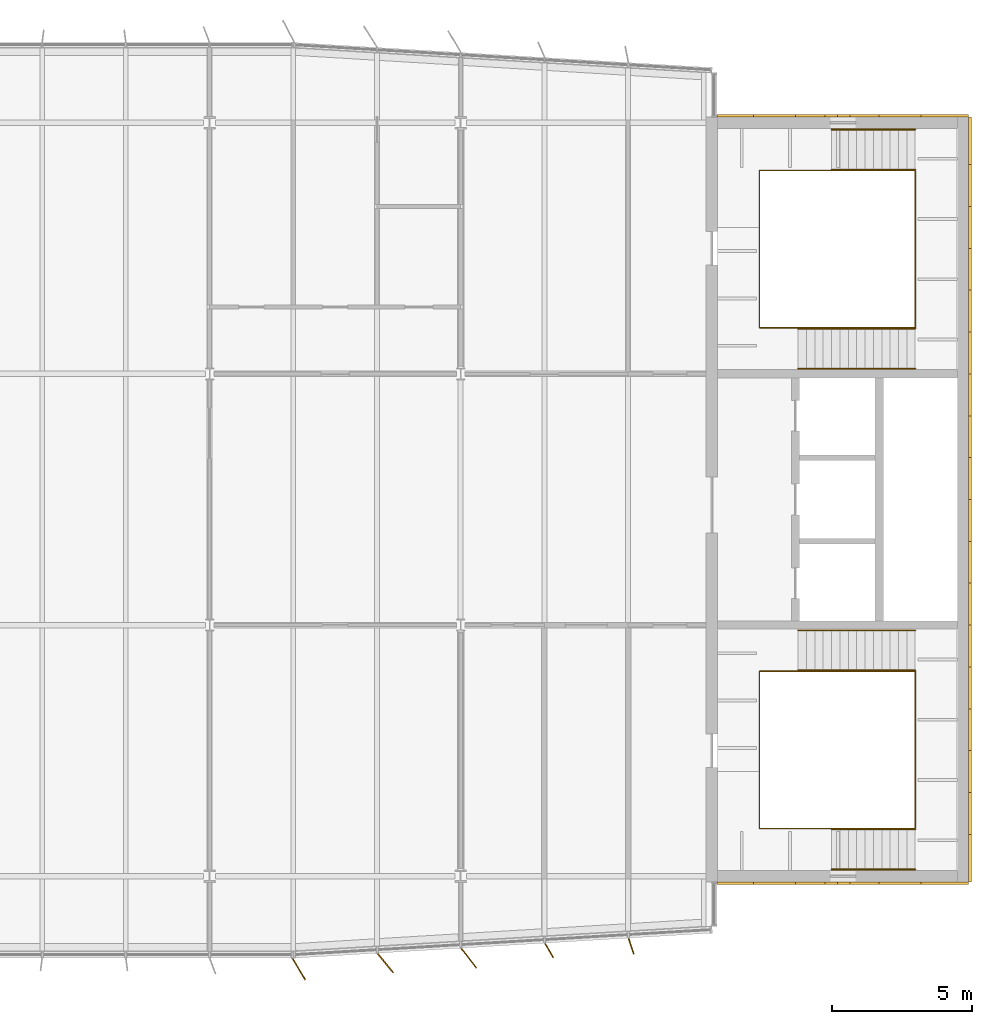
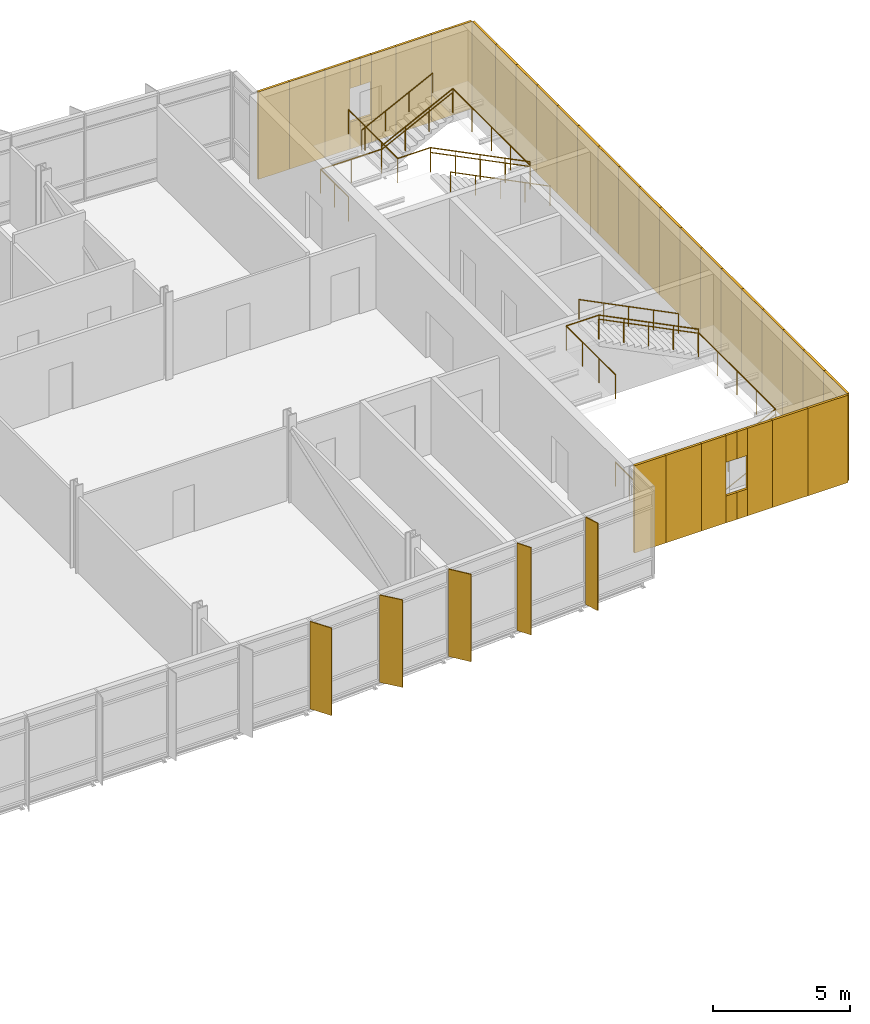
# One storey, part 17 of 18: 38 coverings, 10 railings, 5 shading devices.
"""IFC4 building model written with IfcOpenShell, lengths in metres."""

from ifc_helpers import new_model, si_unit, direction, frame, origin, origin_2d, place, context, subcontext, project, spatial, rectangle, circle, extrude, material, layer, layer_set, type_object, element, save


model = new_model("IFC4")

# Units and contexts
model_context = context("Model", 3, precision=1e-05, world=origin(), true_north=direction((0.0, 1.0)))
body_context = subcontext(model_context, "Body", "Model", "MODEL_VIEW")
ifc_project = project(units=[si_unit("LENGTHUNIT", "METRE"), si_unit("AREAUNIT", "SQUARE_METRE"), si_unit("VOLUMEUNIT", "CUBIC_METRE"), si_unit("PLANEANGLEUNIT", "RADIAN"), si_unit("MASSUNIT", "GRAM", prefix="KILO")], contexts=[model_context])

# Site, building, storey
site_placement = place(None, origin())
site = spatial("IfcSite", under=ifc_project, at=site_placement, CompositionType="ELEMENT")
building_placement = place(site_placement, origin())
building = spatial("IfcBuilding", under=site, at=building_placement, Name="Azimuth Sports and Learning Centre", CompositionType="ELEMENT")
storey_placement = place(building_placement, frame((0.0, 0.0, 59.699951171875)))
storey = spatial("IfcBuildingStorey", under=building, at=storey_placement, Name="L13", CompositionType="ELEMENT", Elevation=59.699951171875)

# Coverings
ifc_material_1 = material(Name="Cladding panel")
ifc_layer_1 = layer(ifc_material_1, 0.10009765625)
ifc_layer_set_1 = layer_set([ifc_layer_1], Name="Cladding panel")
covering_type = type_object("IfcCoveringType", Name="Cladding panel 100", PredefinedType="CLADDING", material=ifc_layer_set_1)
covering_1_placement = place(storey_placement, frame((108.840087890625, 89.75, 0.0), z_axis=(0.0, 0.0, 1.0), x_axis=(1.0, 0.0, 0.0)))
element("IfcCovering", 1, at=covering_1_placement, inside=storey, type_object=covering_type, Name="Cladding panel S-CORE E L13 1", PredefinedType="CLADDING", context=body_context, shape_type="SweptSolid", body=[
    extrude(rectangle(XDim=1.320068359375, YDim=0.10009765625, at=origin_2d()), origin(), (0.0, 0.0, 1.0), 3.89990234375),
])
covering_2_placement = place(storey_placement, frame((110.25, 89.75, 0.0), z_axis=(0.0, 0.0, 1.0), x_axis=(1.0, 0.0, 0.0)))
element("IfcCovering", 2, at=covering_2_placement, inside=storey, type_object=covering_type, Name="Cladding panel S-CORE E L13 2", PredefinedType="CLADDING", context=body_context, shape_type="SweptSolid", body=[
    extrude(rectangle(XDim=1.5, YDim=0.10009765625, at=origin_2d()), origin(), (0.0, 0.0, 1.0), 3.89990234375),
])
covering_3_placement = place(storey_placement, frame((111.52490234375, 89.75, 0.0), z_axis=(0.0, 0.0, 1.0), x_axis=(1.0, 0.0, 0.0)))
element("IfcCovering", 3, at=covering_3_placement, inside=storey, type_object=covering_type, Name="Cladding panel S-CORE E L13 3", PredefinedType="CLADDING", context=body_context, shape_type="SweptSolid", body=[
    extrude(rectangle(XDim=1.050048828125, YDim=0.10009765625, at=origin_2d()), origin(), (0.0, 0.0, 1.0), 3.89990234375),
])
for number, where, z_axis, x_axis, name in (
    (4, (112.27490234375, 89.75, 0.0), (0.0, 0.0, 1.0), (1.0, 0.0, 0.0), "Cladding panel S-CORE E L13 4"),
    (5, (112.27490234375, 89.75, 2.7001953125), (0.0, 0.0, 1.0), (1.0, 0.0, 0.0), "Cladding panel S-CORE E L13 5"),
):
    element("IfcCovering", number, at=place(storey_placement, frame(where, z_axis=z_axis, x_axis=x_axis)), inside=storey, type_object=covering_type, Name=name, PredefinedType="CLADDING", context=body_context, shape_type="SweptSolid", body=[
        extrude(rectangle(XDim=0.449951171875, YDim=0.10009765625, at=origin_2d()), origin(), (0.0, 0.0, 1.0), 1.199951171875),
    ])
covering_4_placement = place(storey_placement, frame((113.47509765625, 89.75, 0.0), z_axis=(0.0, 0.0, 1.0), x_axis=(1.0, 0.0, 0.0)))
element("IfcCovering", 6, at=covering_4_placement, inside=storey, type_object=covering_type, Name="Cladding panel S-CORE E L13 6", PredefinedType="CLADDING", context=body_context, shape_type="SweptSolid", body=[
    extrude(rectangle(XDim=1.050048828125, YDim=0.10009765625, at=origin_2d()), origin(), (0.0, 0.0, 1.0), 3.89990234375),
])
for number, where, z_axis, x_axis, name in (
    (7, (112.72509765625, 89.75, 0.0), (0.0, 0.0, 1.0), (1.0, 0.0, 0.0), "Cladding panel S-CORE E L13 7"),
    (8, (112.72509765625, 89.75, 2.7001953125), (0.0, 0.0, 1.0), (1.0, 0.0, 0.0), "Cladding panel S-CORE E L13 8"),
):
    element("IfcCovering", number, at=place(storey_placement, frame(where, z_axis=z_axis, x_axis=x_axis)), inside=storey, type_object=covering_type, Name=name, PredefinedType="CLADDING", context=body_context, shape_type="SweptSolid", body=[
        extrude(rectangle(XDim=0.449951171875, YDim=0.10009765625, at=origin_2d()), origin(), (0.0, 0.0, 1.0), 1.199951171875),
    ])
covering_5_placement = place(storey_placement, frame((114.75, 89.75, 0.0), z_axis=(0.0, 0.0, 1.0), x_axis=(1.0, 0.0, 0.0)))
element("IfcCovering", 9, at=covering_5_placement, inside=storey, type_object=covering_type, Name="Cladding panel S-CORE E L13 9", PredefinedType="CLADDING", context=body_context, shape_type="SweptSolid", body=[
    extrude(rectangle(XDim=1.5, YDim=0.10009765625, at=origin_2d()), origin(), (0.0, 0.0, 1.0), 3.89990234375),
])
for number, where, z_axis, x_axis, name in (
    (10, (116.35009765625, 89.75, 0.0), (0.0, 0.0, 1.0), (1.0, 0.0, 0.0), "Cladding panel S-CORE E L13 10"),
    (11, (117.25, 90.64990234375, 0.0), (0.0, 0.0, 1.0), (0.0, 1.0, 0.0), "Cladding panel E-CORE E L13 1"),
):
    element("IfcCovering", number, at=place(storey_placement, frame(where, z_axis=z_axis, x_axis=x_axis)), inside=storey, type_object=covering_type, Name=name, PredefinedType="CLADDING", context=body_context, shape_type="SweptSolid", body=[
        extrude(rectangle(XDim=1.699951171875, YDim=0.10009765625, at=origin_2d()), origin(), (0.0, 0.0, 1.0), 3.89990234375),
    ])
for number, where, z_axis, x_axis, name in (
    (12, (117.25, 92.25, 0.0), (0.0, 0.0, 1.0), (0.0, 1.0, 0.0), "Cladding panel E-CORE E L13 2"),
    (13, (117.25, 93.75, 0.0), (0.0, 0.0, 1.0), (0.0, 1.0, 0.0), "Cladding panel E-CORE E L13 3"),
    (14, (117.25, 95.25, 0.0), (0.0, 0.0, 1.0), (0.0, 1.0, 0.0), "Cladding panel E-CORE E L13 4"),
    (15, (117.25, 96.75, 0.0), (0.0, 0.0, 1.0), (0.0, 1.0, 0.0), "Cladding panel E-CORE E L13 5"),
    (16, (117.25, 98.25, 0.0), (0.0, 0.0, 1.0), (0.0, 1.0, 0.0), "Cladding panel E-CORE E L13 6"),
    (17, (117.25, 99.75, 0.0), (0.0, 0.0, 1.0), (0.0, 1.0, 0.0), "Cladding panel E-CORE E L13 7"),
    (18, (117.25, 101.25, 0.0), (0.0, 0.0, 1.0), (0.0, 1.0, 0.0), "Cladding panel E-CORE E L13 8"),
    (19, (117.25, 102.75, 0.0), (0.0, 0.0, 1.0), (0.0, 1.0, 0.0), "Cladding panel E-CORE E L13 9"),
    (20, (117.25, 104.25, 0.0), (0.0, 0.0, 1.0), (0.0, 1.0, 0.0), "Cladding panel E-CORE E L13 10"),
    (21, (117.25, 105.75, 0.0), (0.0, 0.0, 1.0), (0.0, 1.0, 0.0), "Cladding panel E-CORE E L13 11"),
    (22, (117.25, 107.25, 0.0), (0.0, 0.0, 1.0), (0.0, 1.0, 0.0), "Cladding panel E-CORE E L13 12"),
    (23, (117.25, 108.75, 0.0), (0.0, 0.0, 1.0), (0.0, 1.0, 0.0), "Cladding panel E-CORE E L13 13"),
    (24, (117.25, 110.25, 0.0), (0.0, 0.0, 1.0), (0.0, 1.0, 0.0), "Cladding panel E-CORE E L13 14"),
    (25, (117.25, 111.75, 0.0), (0.0, 0.0, 1.0), (0.0, 1.0, 0.0), "Cladding panel E-CORE E L13 15"),
    (26, (117.25, 113.25, 0.0), (0.0, 0.0, 1.0), (0.0, 1.0, 0.0), "Cladding panel E-CORE E L13 16"),
    (27, (117.25, 114.75, 0.0), (0.0, 0.0, 1.0), (0.0, 1.0, 0.0), "Cladding panel E-CORE E L13 17"),
):
    element("IfcCovering", number, at=place(storey_placement, frame(where, z_axis=z_axis, x_axis=x_axis)), inside=storey, type_object=covering_type, Name=name, PredefinedType="CLADDING", context=body_context, shape_type="SweptSolid", body=[
        extrude(rectangle(XDim=1.5, YDim=0.10009765625, at=origin_2d()), origin(), (0.0, 0.0, 1.0), 3.89990234375),
    ])
for number, where, z_axis, x_axis, name in (
    (28, (117.25, 116.35009765625, 0.0), (0.0, 0.0, 1.0), (0.0, 1.0, 0.0), "Cladding panel E-CORE E L13 18"),
    (29, (116.35009765625, 117.25, 0.0), (0.0, 0.0, 1.0), (-1.0, 0.0, 0.0), "Cladding panel N-CORE E L13 1"),
):
    element("IfcCovering", number, at=place(storey_placement, frame(where, z_axis=z_axis, x_axis=x_axis)), inside=storey, type_object=covering_type, Name=name, PredefinedType="CLADDING", context=body_context, shape_type="SweptSolid", body=[
        extrude(rectangle(XDim=1.699951171875, YDim=0.10009765625, at=origin_2d()), origin(), (0.0, 0.0, 1.0), 3.89990234375),
    ])
covering_6_placement = place(storey_placement, frame((114.75, 117.25, 0.0), z_axis=(0.0, 0.0, 1.0), x_axis=(-1.0, 0.0, 0.0)))
element("IfcCovering", 30, at=covering_6_placement, inside=storey, type_object=covering_type, Name="Cladding panel N-CORE E L13 2", PredefinedType="CLADDING", context=body_context, shape_type="SweptSolid", body=[
    extrude(rectangle(XDim=1.5, YDim=0.10009765625, at=origin_2d()), origin(), (0.0, 0.0, 1.0), 3.89990234375),
])
covering_7_placement = place(storey_placement, frame((113.47509765625, 117.25, 0.0), z_axis=(0.0, 0.0, 1.0), x_axis=(-1.0, 0.0, 0.0)))
element("IfcCovering", 31, at=covering_7_placement, inside=storey, type_object=covering_type, Name="Cladding panel N-CORE E L13 3", PredefinedType="CLADDING", context=body_context, shape_type="SweptSolid", body=[
    extrude(rectangle(XDim=1.050048828125, YDim=0.10009765625, at=origin_2d()), origin(), (0.0, 0.0, 1.0), 3.89990234375),
])
for number, where, z_axis, x_axis, name in (
    (32, (112.72509765625, 117.25, 0.0), (0.0, 0.0, 1.0), (-1.0, 0.0, 0.0), "Cladding panel N-CORE E L13 4"),
    (33, (112.72509765625, 117.25, 2.7001953125), (0.0, 0.0, 1.0), (-1.0, 0.0, 0.0), "Cladding panel N-CORE E L13 5"),
):
    element("IfcCovering", number, at=place(storey_placement, frame(where, z_axis=z_axis, x_axis=x_axis)), inside=storey, type_object=covering_type, Name=name, PredefinedType="CLADDING", context=body_context, shape_type="SweptSolid", body=[
        extrude(rectangle(XDim=0.449951171875, YDim=0.10009765625, at=origin_2d()), origin(), (0.0, 0.0, 1.0), 1.199951171875),
    ])
covering_8_placement = place(storey_placement, frame((111.52490234375, 117.25, 0.0), z_axis=(0.0, 0.0, 1.0), x_axis=(-1.0, 0.0, 0.0)))
element("IfcCovering", 34, at=covering_8_placement, inside=storey, type_object=covering_type, Name="Cladding panel N-CORE E L13 6", PredefinedType="CLADDING", context=body_context, shape_type="SweptSolid", body=[
    extrude(rectangle(XDim=1.050048828125, YDim=0.10009765625, at=origin_2d()), origin(), (0.0, 0.0, 1.0), 3.89990234375),
])
for number, where, z_axis, x_axis, name in (
    (35, (112.27490234375, 117.25, 0.0), (0.0, 0.0, 1.0), (-1.0, 0.0, 0.0), "Cladding panel N-CORE E L13 7"),
    (36, (112.27490234375, 117.25, 2.7001953125), (0.0, 0.0, 1.0), (-1.0, 0.0, 0.0), "Cladding panel N-CORE E L13 8"),
):
    element("IfcCovering", number, at=place(storey_placement, frame(where, z_axis=z_axis, x_axis=x_axis)), inside=storey, type_object=covering_type, Name=name, PredefinedType="CLADDING", context=body_context, shape_type="SweptSolid", body=[
        extrude(rectangle(XDim=0.449951171875, YDim=0.10009765625, at=origin_2d()), origin(), (0.0, 0.0, 1.0), 1.199951171875),
    ])
covering_9_placement = place(storey_placement, frame((110.25, 117.25, 0.0), z_axis=(0.0, 0.0, 1.0), x_axis=(-1.0, 0.0, 0.0)))
element("IfcCovering", 37, at=covering_9_placement, inside=storey, type_object=covering_type, Name="Cladding panel N-CORE E L13 9", PredefinedType="CLADDING", context=body_context, shape_type="SweptSolid", body=[
    extrude(rectangle(XDim=1.5, YDim=0.10009765625, at=origin_2d()), origin(), (0.0, 0.0, 1.0), 3.89990234375),
])
covering_10_placement = place(storey_placement, frame((108.840087890625, 117.25, 0.0), z_axis=(0.0, 0.0, 1.0), x_axis=(-1.0, 0.0, 0.0)))
element("IfcCovering", 38, at=covering_10_placement, inside=storey, type_object=covering_type, Name="Cladding panel N-CORE E L13 10", PredefinedType="CLADDING", context=body_context, shape_type="SweptSolid", body=[
    extrude(rectangle(XDim=1.320068359375, YDim=0.10009765625, at=origin_2d()), origin(), (0.0, 0.0, 1.0), 3.89990234375),
])

# Shading devices
ifc_material_2 = material(Name="Aluminium", Category="aluminium")
ifc_layer_2 = layer(ifc_material_2, 0.0400390625)
ifc_layer_set_2 = layer_set([ifc_layer_2], Name="Aluminium")
shading_device_type_1 = type_object("IfcShadingDeviceType", Name="Shading fin 600", PredefinedType="JALOUSIE", material=ifc_layer_set_2)
for number, where, z_axis, x_axis, name in (
    (39, (102.165283203125, 87.341064453125, 0.0), (0.0, 0.0, 1.0), (0.50282122482, -0.864390430228, 0.0), "Shading fin F13-013"),
    (40, (105.107421875, 87.4951171875, 0.0), (0.0, 0.0, 1.0), (0.310280447308, -0.950645067319, 0.0), "Shading fin F13-014"),
):
    element("IfcShadingDevice", number, at=place(storey_placement, frame(where, z_axis=z_axis, x_axis=x_axis)), inside=storey, type_object=shading_device_type_1, Name=name, PredefinedType="JALOUSIE", context=body_context, shape_type="SweptSolid", body=[
        extrude(rectangle(XDim=0.60009765625, YDim=0.0400390625, at=origin_2d()), origin(), (0.0, 0.0, 1.0), 3.89990234375),
    ])
ifc_material_3 = material(Name="Aluminium", Category="aluminium")
ifc_layer_3 = layer(ifc_material_3, 0.0400390625)
ifc_layer_set_3 = layer_set([ifc_layer_3], Name="Aluminium")
shading_device_type_2 = type_object("IfcShadingDeviceType", Name="Shading fin 900", PredefinedType="JALOUSIE", material=ifc_layer_set_3)
for number, where, z_axis, x_axis, name in (
    (41, (93.197998046875, 86.675048828125, 0.0), (0.0, 0.0, 1.0), (0.517682326227, -0.855572912797, 0.0), "Shading fin F13-010"),
    (42, (96.299072265625, 86.891845703125, 0.0), (0.0, 0.0, 1.0), (0.632521516641, -0.77454278835, 0.0), "Shading fin F13-011"),
    (43, (99.289306640625, 87.064208984375, 0.0), (0.0, 0.0, 1.0), (0.611135436755, -0.791526043755, 0.0), "Shading fin F13-012"),
):
    element("IfcShadingDevice", number, at=place(storey_placement, frame(where, z_axis=z_axis, x_axis=x_axis)), inside=storey, type_object=shading_device_type_2, Name=name, PredefinedType="JALOUSIE", context=body_context, shape_type="SweptSolid", body=[
        extrude(rectangle(XDim=0.89990234375, YDim=0.0400390625, at=origin_2d()), origin(), (0.0, 0.0, 1.0), 3.89990234375),
    ])

# Railings
ifc_material_4 = material(Name="Stainless steel", Category="steel")
railing_type_1 = type_object("IfcRailingType", Name="Stair guard 1100", PredefinedType="GUARDRAIL", material=ifc_material_4)
railing_1_placement = place(storey_placement, frame((109.7099609375, 93.75, 0.0)))
element("IfcRailing", 44, at=railing_1_placement, inside=storey, type_object=railing_type_1, Name="Guard E1 L13 well", PredefinedType="GUARDRAIL", context=body_context, shape_type="SweptSolid", body=[
    extrude(circle(Radius=0.02392578125, at=origin_2d()), frame((0.0, 0.0, 1.076171875), z_axis=(0.0, -1.0, 0.0), x_axis=(1.0, 0.0, 0.0)), (0.0, 0.0, 1.0), 2.0400390625),
    extrude(circle(Radius=0.02392578125, at=origin_2d()), frame((0.0, -2.0400390625, 1.076171875), z_axis=(1.0, 0.0, 0.0), x_axis=(0.0, 1.0, 0.0)), (0.0, 0.0, 1.0), 2.580078125),
    extrude(circle(Radius=0.02392578125, at=origin_2d()), frame((2.580078125, -2.0400390625, 1.076171875), z_axis=(0.0, 0.0, 1.0), x_axis=(1.0, 0.0, 0.0)), (0.0, 0.0, 1.0), 0.150146484375),
    extrude(circle(Radius=0.02392578125, at=origin_2d()), frame((2.580078125, -2.0400390625, 1.22607421875), z_axis=(0.894427191, 0.0, 0.4472135955), x_axis=(0.0, 1.0, 0.0)), (0.0, 0.0, 1.0), 3.35400390625),
    extrude(circle(Radius=0.02392578125, at=origin_2d()), frame((5.580078125, -2.0400390625, 2.72607421875), z_axis=(0.0, 1.0, 0.0), x_axis=(-1.0, 0.0, 0.0)), (0.0, 0.0, 1.0), 5.630126953125),
    extrude(circle(Radius=0.02392578125, at=origin_2d()), frame((5.580078125, 3.590087890625, 2.72607421875), z_axis=(0.0, 0.0, 1.0), x_axis=(1.0, 0.0, 0.0)), (0.0, 0.0, 1.0), 0.14990234375),
    extrude(circle(Radius=0.02392578125, at=origin_2d()), frame((5.580078125, 3.590087890625, 2.8759765625), z_axis=(-0.894416792377, 0.0, 0.447234392142), x_axis=(0.0, -1.0, 0.0)), (0.0, 0.0, 1.0), 4.69580078125),
    extrude(circle(Radius=0.02392578125, at=origin_2d()), frame((1.380126953125, 3.590087890625, 4.97607421875), z_axis=(-1.0, 0.0, 0.0), x_axis=(0.0, -1.0, 0.0)), (0.0, 0.0, 1.0), 1.380126953125),
    extrude(circle(Radius=0.02392578125, at=origin_2d()), frame((0.0, 3.590087890625, 4.97607421875), z_axis=(0.0, -1.0, 0.0), x_axis=(1.0, 0.0, 0.0)), (0.0, 0.0, 1.0), 3.590087890625),
    extrude(circle(Radius=0.01611328125, at=origin_2d()), origin(), (0.0, 0.0, 1.0), 1.052001953125),
    extrude(circle(Radius=0.01611328125, at=origin_2d()), frame((0.0, -1.02001953125, 0.0)), (0.0, 0.0, 1.0), 1.052001953125),
    extrude(circle(Radius=0.01611328125, at=origin_2d()), frame((0.0, -2.0400390625, 0.0)), (0.0, 0.0, 1.0), 1.052001953125),
    extrude(circle(Radius=0.01611328125, at=origin_2d()), frame((1.2900390625, -2.0400390625, 0.0)), (0.0, 0.0, 1.0), 1.052001953125),
    extrude(circle(Radius=0.01611328125, at=origin_2d()), frame((2.580078125, -2.0400390625, 0.0)), (0.0, 0.0, 1.0), 1.052001953125),
    extrude(circle(Radius=0.01611328125, at=origin_2d()), frame((2.580078125, -2.0400390625, 0.150146484375)), (0.0, 0.0, 1.0), 1.052001953125),
    extrude(circle(Radius=0.01611328125, at=origin_2d()), frame((3.580078125, -2.0400390625, 0.650146484375)), (0.0, 0.0, 1.0), 1.052001953125),
    extrude(circle(Radius=0.01611328125, at=origin_2d()), frame((4.580078125, -2.0400390625, 1.150146484375)), (0.0, 0.0, 1.0), 1.052001953125),
    extrude(circle(Radius=0.01611328125, at=origin_2d()), frame((5.580078125, -2.0400390625, 1.650146484375)), (0.0, 0.0, 1.0), 1.052001953125),
    extrude(circle(Radius=0.01611328125, at=origin_2d()), frame((5.580078125, -0.632568359375, 1.650146484375)), (0.0, 0.0, 1.0), 1.052001953125),
    extrude(circle(Radius=0.01611328125, at=origin_2d()), frame((5.580078125, 0.77490234375, 1.650146484375)), (0.0, 0.0, 1.0), 1.052001953125),
    extrude(circle(Radius=0.01611328125, at=origin_2d()), frame((5.580078125, 2.1826171875, 1.650146484375)), (0.0, 0.0, 1.0), 1.052001953125),
    extrude(circle(Radius=0.01611328125, at=origin_2d()), frame((5.580078125, 3.590087890625, 1.650146484375)), (0.0, 0.0, 1.0), 1.052001953125),
    extrude(circle(Radius=0.01611328125, at=origin_2d()), frame((5.580078125, 3.590087890625, 1.800048828125)), (0.0, 0.0, 1.0), 1.052001953125),
    extrude(circle(Radius=0.01611328125, at=origin_2d()), frame((4.530029296875, 3.590087890625, 2.3251953125)), (0.0, 0.0, 1.0), 1.052001953125),
    extrude(circle(Radius=0.01611328125, at=origin_2d()), frame((3.47998046875, 3.590087890625, 2.85009765625)), (0.0, 0.0, 1.0), 1.052001953125),
    extrude(circle(Radius=0.01611328125, at=origin_2d()), frame((2.43017578125, 3.590087890625, 3.375)), (0.0, 0.0, 1.0), 1.052001953125),
    extrude(circle(Radius=0.01611328125, at=origin_2d()), frame((1.380126953125, 3.590087890625, 3.900146484375)), (0.0, 0.0, 1.0), 1.052001953125),
    extrude(circle(Radius=0.01611328125, at=origin_2d()), frame((0.0, 3.590087890625, 3.900146484375)), (0.0, 0.0, 1.0), 1.052001953125),
    extrude(circle(Radius=0.01611328125, at=origin_2d()), frame((0.0, 2.393310546875, 3.900146484375)), (0.0, 0.0, 1.0), 1.052001953125),
    extrude(circle(Radius=0.01611328125, at=origin_2d()), frame((0.0, 1.19677734375, 3.900146484375)), (0.0, 0.0, 1.0), 1.052001953125),
    extrude(circle(Radius=0.01611328125, at=origin_2d()), frame((0.0, 0.0, 3.900146484375)), (0.0, 0.0, 1.0), 1.052001953125),
])
railing_2_placement = place(storey_placement, frame((109.7099609375, 113.25, 0.0)))
element("IfcRailing", 45, at=railing_2_placement, inside=storey, type_object=railing_type_1, Name="Guard E2 L13 well", PredefinedType="GUARDRAIL", context=body_context, shape_type="SweptSolid", body=[
    extrude(circle(Radius=0.02392578125, at=origin_2d()), frame((0.0, 0.0, 1.076171875), z_axis=(0.0, 1.0, 0.0), x_axis=(-1.0, 0.0, 0.0)), (0.0, 0.0, 1.0), 2.0400390625),
    extrude(circle(Radius=0.02392578125, at=origin_2d()), frame((0.0, 2.0400390625, 1.076171875), z_axis=(1.0, 0.0, 0.0), x_axis=(0.0, 1.0, 0.0)), (0.0, 0.0, 1.0), 2.580078125),
    extrude(circle(Radius=0.02392578125, at=origin_2d()), frame((2.580078125, 2.0400390625, 1.076171875), z_axis=(0.0, 0.0, 1.0), x_axis=(1.0, 0.0, 0.0)), (0.0, 0.0, 1.0), 0.150146484375),
    extrude(circle(Radius=0.02392578125, at=origin_2d()), frame((2.580078125, 2.0400390625, 1.22607421875), z_axis=(0.894427191, 0.0, 0.4472135955), x_axis=(0.0, 1.0, 0.0)), (0.0, 0.0, 1.0), 3.35400390625),
    extrude(circle(Radius=0.02392578125, at=origin_2d()), frame((5.580078125, 2.0400390625, 2.72607421875), z_axis=(0.0, -1.0, 0.0), x_axis=(1.0, 0.0, 0.0)), (0.0, 0.0, 1.0), 5.630126953125),
    extrude(circle(Radius=0.02392578125, at=origin_2d()), frame((5.580078125, -3.590087890625, 2.72607421875), z_axis=(0.0, 0.0, 1.0), x_axis=(1.0, 0.0, 0.0)), (0.0, 0.0, 1.0), 0.14990234375),
    extrude(circle(Radius=0.02392578125, at=origin_2d()), frame((5.580078125, -3.590087890625, 2.8759765625), z_axis=(-0.894416792377, 0.0, 0.447234392142), x_axis=(0.0, -1.0, 0.0)), (0.0, 0.0, 1.0), 4.69580078125),
    extrude(circle(Radius=0.02392578125, at=origin_2d()), frame((1.380126953125, -3.590087890625, 4.97607421875), z_axis=(-1.0, 0.0, 0.0), x_axis=(0.0, -1.0, 0.0)), (0.0, 0.0, 1.0), 1.380126953125),
    extrude(circle(Radius=0.02392578125, at=origin_2d()), frame((0.0, -3.590087890625, 4.97607421875), z_axis=(0.0, 1.0, 0.0), x_axis=(-1.0, 0.0, 0.0)), (0.0, 0.0, 1.0), 3.590087890625),
    extrude(circle(Radius=0.01611328125, at=origin_2d()), origin(), (0.0, 0.0, 1.0), 1.052001953125),
    extrude(circle(Radius=0.01611328125, at=origin_2d()), frame((0.0, 1.02001953125, 0.0)), (0.0, 0.0, 1.0), 1.052001953125),
    extrude(circle(Radius=0.01611328125, at=origin_2d()), frame((0.0, 2.0400390625, 0.0)), (0.0, 0.0, 1.0), 1.052001953125),
    extrude(circle(Radius=0.01611328125, at=origin_2d()), frame((1.2900390625, 2.0400390625, 0.0)), (0.0, 0.0, 1.0), 1.052001953125),
    extrude(circle(Radius=0.01611328125, at=origin_2d()), frame((2.580078125, 2.0400390625, 0.0)), (0.0, 0.0, 1.0), 1.052001953125),
    extrude(circle(Radius=0.01611328125, at=origin_2d()), frame((2.580078125, 2.0400390625, 0.150146484375)), (0.0, 0.0, 1.0), 1.052001953125),
    extrude(circle(Radius=0.01611328125, at=origin_2d()), frame((3.580078125, 2.0400390625, 0.650146484375)), (0.0, 0.0, 1.0), 1.052001953125),
    extrude(circle(Radius=0.01611328125, at=origin_2d()), frame((4.580078125, 2.0400390625, 1.150146484375)), (0.0, 0.0, 1.0), 1.052001953125),
    extrude(circle(Radius=0.01611328125, at=origin_2d()), frame((5.580078125, 2.0400390625, 1.650146484375)), (0.0, 0.0, 1.0), 1.052001953125),
    extrude(circle(Radius=0.01611328125, at=origin_2d()), frame((5.580078125, 0.632568359375, 1.650146484375)), (0.0, 0.0, 1.0), 1.052001953125),
    extrude(circle(Radius=0.01611328125, at=origin_2d()), frame((5.580078125, -0.77490234375, 1.650146484375)), (0.0, 0.0, 1.0), 1.052001953125),
    extrude(circle(Radius=0.01611328125, at=origin_2d()), frame((5.580078125, -2.1826171875, 1.650146484375)), (0.0, 0.0, 1.0), 1.052001953125),
    extrude(circle(Radius=0.01611328125, at=origin_2d()), frame((5.580078125, -3.590087890625, 1.650146484375)), (0.0, 0.0, 1.0), 1.052001953125),
    extrude(circle(Radius=0.01611328125, at=origin_2d()), frame((5.580078125, -3.590087890625, 1.800048828125)), (0.0, 0.0, 1.0), 1.052001953125),
    extrude(circle(Radius=0.01611328125, at=origin_2d()), frame((4.530029296875, -3.590087890625, 2.3251953125)), (0.0, 0.0, 1.0), 1.052001953125),
    extrude(circle(Radius=0.01611328125, at=origin_2d()), frame((3.47998046875, -3.590087890625, 2.85009765625)), (0.0, 0.0, 1.0), 1.052001953125),
    extrude(circle(Radius=0.01611328125, at=origin_2d()), frame((2.43017578125, -3.590087890625, 3.375)), (0.0, 0.0, 1.0), 1.052001953125),
    extrude(circle(Radius=0.01611328125, at=origin_2d()), frame((1.380126953125, -3.590087890625, 3.900146484375)), (0.0, 0.0, 1.0), 1.052001953125),
    extrude(circle(Radius=0.01611328125, at=origin_2d()), frame((0.0, -3.590087890625, 3.900146484375)), (0.0, 0.0, 1.0), 1.052001953125),
    extrude(circle(Radius=0.01611328125, at=origin_2d()), frame((0.0, -2.393310546875, 3.900146484375)), (0.0, 0.0, 1.0), 1.052001953125),
    extrude(circle(Radius=0.01611328125, at=origin_2d()), frame((0.0, -1.19677734375, 3.900146484375)), (0.0, 0.0, 1.0), 1.052001953125),
    extrude(circle(Radius=0.01611328125, at=origin_2d()), frame((0.0, 0.0, 3.900146484375)), (0.0, 0.0, 1.0), 1.052001953125),
])
ifc_material_5 = material(Name="Stainless steel", Category="steel")
railing_type_2 = type_object("IfcRailingType", Name="Stair handrail 42", PredefinedType="HANDRAIL", material=ifc_material_5)
for number, where, name in (
    (46, (112.2900390625, 91.679931640625, 0.150146484375), "Handrail E1 L13 flight 1 inner"),
    (47, (112.2900390625, 90.239990234375, 0.150146484375), "Handrail E1 L13 flight 1 outer"),
):
    element("IfcRailing", number, at=place(storey_placement, frame(where)), inside=storey, type_object=railing_type_2, Name=name, PredefinedType="HANDRAIL", context=body_context, shape_type="SweptSolid", body=[
        extrude(circle(Radius=0.02099609375, at=origin_2d()), frame((0.0, 0.0, 0.87890625), z_axis=(0.894427191, 0.0, 0.4472135955), x_axis=(0.0, 1.0, 0.0)), (0.0, 0.0, 1.0), 3.35400390625),
        extrude(circle(Radius=0.01611328125, at=origin_2d()), origin(), (0.0, 0.0, 1.0), 0.85791015625),
        extrude(circle(Radius=0.01611328125, at=origin_2d()), frame((1.0, 0.0, 0.5)), (0.0, 0.0, 1.0), 0.85791015625),
        extrude(circle(Radius=0.01611328125, at=origin_2d()), frame((2.0, 0.0, 1.0)), (0.0, 0.0, 1.0), 0.85791015625),
        extrude(circle(Radius=0.01611328125, at=origin_2d()), frame((3.0, 0.0, 1.5)), (0.0, 0.0, 1.0), 0.85791015625),
    ])
for number, where, name in (
    (48, (115.2900390625, 97.3701171875, 1.800048828125), "Handrail E1 L13 flight 2 inner"),
    (49, (115.2900390625, 98.81005859375, 1.800048828125), "Handrail E1 L13 flight 2 outer"),
):
    element("IfcRailing", number, at=place(storey_placement, frame(where)), inside=storey, type_object=railing_type_2, Name=name, PredefinedType="HANDRAIL", context=body_context, shape_type="SweptSolid", body=[
        extrude(circle(Radius=0.02099609375, at=origin_2d()), frame((0.0, 0.0, 0.87890625), z_axis=(-0.894416792377, 0.0, 0.447234392142), x_axis=(0.0, -1.0, 0.0)), (0.0, 0.0, 1.0), 4.69580078125),
        extrude(circle(Radius=0.01611328125, at=origin_2d()), origin(), (0.0, 0.0, 1.0), 0.85791015625),
        extrude(circle(Radius=0.01611328125, at=origin_2d()), frame((-1.050048828125, 0.0, 0.52490234375)), (0.0, 0.0, 1.0), 0.85791015625),
        extrude(circle(Radius=0.01611328125, at=origin_2d()), frame((-2.10009765625, 0.0, 1.050048828125)), (0.0, 0.0, 1.0), 0.85791015625),
        extrude(circle(Radius=0.01611328125, at=origin_2d()), frame((-3.14990234375, 0.0, 1.5751953125)), (0.0, 0.0, 1.0), 0.85791015625),
        extrude(circle(Radius=0.01611328125, at=origin_2d()), frame((-4.199951171875, 0.0, 2.10009765625)), (0.0, 0.0, 1.0), 0.85791015625),
    ])
for number, where, name in (
    (50, (112.2900390625, 115.320068359375, 0.150146484375), "Handrail E2 L13 flight 1 inner"),
    (51, (112.2900390625, 116.760009765625, 0.150146484375), "Handrail E2 L13 flight 1 outer"),
):
    element("IfcRailing", number, at=place(storey_placement, frame(where)), inside=storey, type_object=railing_type_2, Name=name, PredefinedType="HANDRAIL", context=body_context, shape_type="SweptSolid", body=[
        extrude(circle(Radius=0.02099609375, at=origin_2d()), frame((0.0, 0.0, 0.87890625), z_axis=(0.894427191, 0.0, 0.4472135955), x_axis=(0.0, 1.0, 0.0)), (0.0, 0.0, 1.0), 3.35400390625),
        extrude(circle(Radius=0.01611328125, at=origin_2d()), origin(), (0.0, 0.0, 1.0), 0.85791015625),
        extrude(circle(Radius=0.01611328125, at=origin_2d()), frame((1.0, 0.0, 0.5)), (0.0, 0.0, 1.0), 0.85791015625),
        extrude(circle(Radius=0.01611328125, at=origin_2d()), frame((2.0, 0.0, 1.0)), (0.0, 0.0, 1.0), 0.85791015625),
        extrude(circle(Radius=0.01611328125, at=origin_2d()), frame((3.0, 0.0, 1.5)), (0.0, 0.0, 1.0), 0.85791015625),
    ])
for number, where, name in (
    (52, (115.2900390625, 109.6298828125, 1.800048828125), "Handrail E2 L13 flight 2 inner"),
    (53, (115.2900390625, 108.18994140625, 1.800048828125), "Handrail E2 L13 flight 2 outer"),
):
    element("IfcRailing", number, at=place(storey_placement, frame(where)), inside=storey, type_object=railing_type_2, Name=name, PredefinedType="HANDRAIL", context=body_context, shape_type="SweptSolid", body=[
        extrude(circle(Radius=0.02099609375, at=origin_2d()), frame((0.0, 0.0, 0.87890625), z_axis=(-0.894416792377, 0.0, 0.447234392142), x_axis=(0.0, -1.0, 0.0)), (0.0, 0.0, 1.0), 4.69580078125),
        extrude(circle(Radius=0.01611328125, at=origin_2d()), origin(), (0.0, 0.0, 1.0), 0.85791015625),
        extrude(circle(Radius=0.01611328125, at=origin_2d()), frame((-1.050048828125, 0.0, 0.52490234375)), (0.0, 0.0, 1.0), 0.85791015625),
        extrude(circle(Radius=0.01611328125, at=origin_2d()), frame((-2.10009765625, 0.0, 1.050048828125)), (0.0, 0.0, 1.0), 0.85791015625),
        extrude(circle(Radius=0.01611328125, at=origin_2d()), frame((-3.14990234375, 0.0, 1.5751953125)), (0.0, 0.0, 1.0), 0.85791015625),
        extrude(circle(Radius=0.01611328125, at=origin_2d()), frame((-4.199951171875, 0.0, 2.10009765625)), (0.0, 0.0, 1.0), 0.85791015625),
    ])

save(model, "model.ifc")
